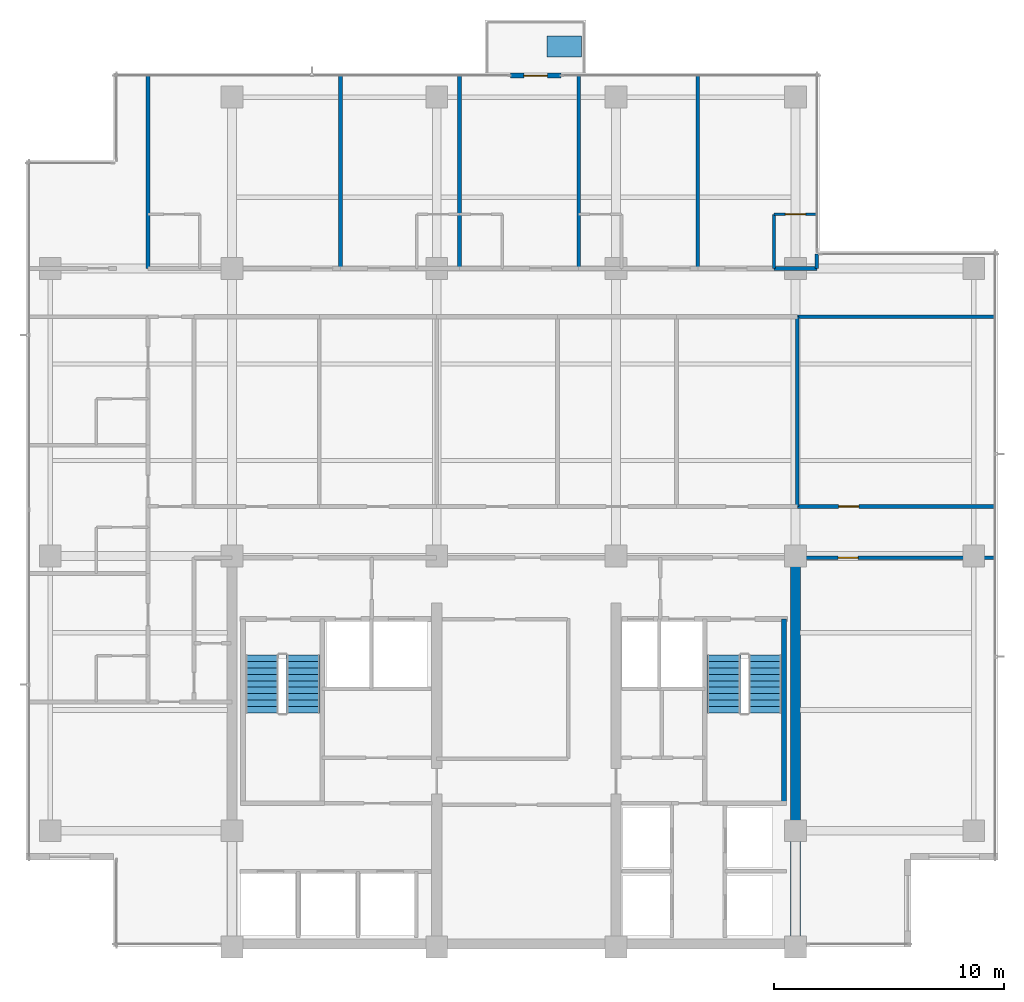
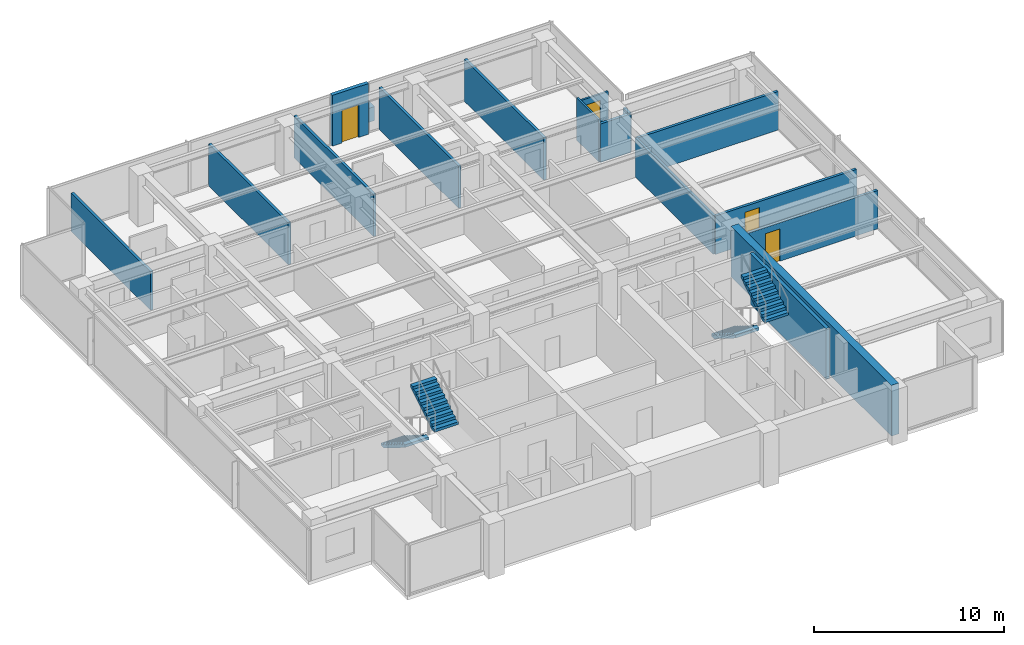
# One storey, part 10 of 15: 16 walls, 4 doors, 4 stair flights, 1 discrete accessory, 4 openings, 2 elements without a shape of their own.
"""IFC4 building model written with IfcOpenShell, lengths in metres."""

from ifc_helpers import new_model, si_unit, direction, frame, frame_2d, origin, place, context, subcontext, project, spatial, polyline, rectangle, outline, extrude, material, layer, layer_set, type_object, element, fill, aggregate, save


model = new_model("IFC4")

# Units and contexts
model_context = context("Model", 3, precision=1e-05, world=origin(), true_north=direction((0.0, 1.0)))
body_context = subcontext(model_context, "Body", "Model", "MODEL_VIEW")
ifc_project = project(units=[si_unit("LENGTHUNIT", "METRE"), si_unit("AREAUNIT", "SQUARE_METRE"), si_unit("VOLUMEUNIT", "CUBIC_METRE"), si_unit("PLANEANGLEUNIT", "RADIAN"), si_unit("MASSUNIT", "GRAM", prefix="KILO")], contexts=[model_context])

# Site, building, storey
site_placement = place(None, origin())
site = spatial("IfcSite", under=ifc_project, at=site_placement, CompositionType="ELEMENT")
building_placement = place(site_placement, origin())
building = spatial("IfcBuilding", under=site, at=building_placement, Name="Qalmaran Belvedere Hotel", CompositionType="ELEMENT")
storey_placement = place(building_placement, frame((0.0, 0.0, 203.89990234375)))
storey = spatial("IfcBuildingStorey", under=building, at=storey_placement, Name="L51", CompositionType="ELEMENT", Elevation=203.89990234375)

# Wall, opening, door
ifc_material_1 = material(Name="Anodised Bronze Cladding")
ifc_layer_1 = layer(ifc_material_1, 0.22509765625, Name="Anodised Bronze Cladding")
ifc_layer_set_1 = layer_set([ifc_layer_1], Name="Anodised Bronze Cladding")
wall_type_1 = type_object("IfcWallType", Name="WL-BAL-PORT-225", PredefinedType="SOLIDWALL", material=ifc_layer_set_1)
wall_1_placement = place(storey_placement, frame((32.39990234375, 41.3798828125, 0.0), z_axis=(0.0, 0.0, 1.0), x_axis=(1.0, 0.0, 0.0)))
wall_1 = element("IfcWall", 1, at=wall_1_placement, inside=storey, type_object=wall_type_1, Name="L51 Tree Balcony Door Portal", PredefinedType="SOLIDWALL", context=body_context, shape_type="SweptSolid", body=[
    extrude(rectangle(XDim=2.2001953125, YDim=0.22509765625, at=frame_2d((1.10009765625, 0.0))), origin(), (0.0, 0.0, 1.0), 3.260009765625),
])
opening_1_placement = place(wall_1_placement, frame((0.590087890625, 0.0, 0.0)))
opening_1 = element("IfcOpeningElement", 2, at=opening_1_placement, cuts=wall_1, Name="Opening BL-102", PredefinedType="OPENING", context=body_context, shape_type="SweptSolid", body=[
    extrude(rectangle(XDim=1.02001953125, YDim=2.10009765625, at=frame_2d((0.510009765625, 1.050048828125))), frame((0.0, 0.12255859375, 0.0), z_axis=(0.0, -1.0, 0.0), x_axis=(1.0, 0.0, 0.0)), (0.0, 0.0, 1.0), 0.2451171875),
])
ifc_material_2 = material(Name="Anodised Bronze Aluminium", Category="aluminium")
door_type_1 = type_object("IfcDoorType", Name="DR-BAL-1020X2100", OperationType="NOTDEFINED", PredefinedType="DOOR", material=ifc_material_2)
door_1_placement = place(opening_1_placement, origin())
door_1 = element("IfcDoor", 3, at=door_1_placement, inside=storey, type_object=door_type_1, Name="L51 Planted Tree Balcony Door", OperationType="SINGLE_SWING_RIGHT", OverallHeight=2.10009765625, OverallWidth=1.02001953125, PredefinedType="DOOR", context=body_context, shape_type="SweptSolid", body=[
    extrude(rectangle(XDim=1.02001953125, YDim=2.10009765625, at=frame_2d((0.510009765625, 1.050048828125))), frame((0.0, 0.02490234375, 0.0), z_axis=(0.0, -1.0, 0.0), x_axis=(1.0, 0.0, 0.0)), (0.0, 0.0, 1.0), 0.050048828125),
])
fill(opening_1, door_1)

# Wall
ifc_material_3 = material(Name="Concrete C50/60", Category="concrete")
ifc_layer_2 = layer(ifc_material_3, 0.449951171875, Name="Concrete C50/60")
ifc_layer_set_2 = layer_set([ifc_layer_2], Name="Concrete C50/60")
wall_type_2 = type_object("IfcWallType", Name="WL-CORE-450-C50", PredefinedType="SHEAR", material=ifc_layer_set_2)
wall_2_placement = place(storey_placement, frame((44.800048828125, 3.5, 0.0), z_axis=(0.0, 0.0, 1.0), x_axis=(0.0, 1.0, 0.0)))
element("IfcWall", 4, at=wall_2_placement, inside=storey, type_object=wall_type_2, Name="L51 East Core Shear Wall", PredefinedType="SHEAR", context=body_context, shape_type="SweptSolid", body=[
    extrude(rectangle(XDim=16.89990234375, YDim=0.449951171875, at=frame_2d((8.449951171875, 0.0))), origin(), (0.0, 0.0, 1.0), 3.260009765625),
])

# Wall, opening, door
ifc_material_4 = material(Name="Moisture-Resistant Gypsum")
ifc_layer_3 = layer(ifc_material_4, 0.1201171875, Name="Moisture-Resistant Gypsum")
ifc_layer_set_3 = layer_set([ifc_layer_3], Name="Moisture-Resistant Gypsum")
wall_type_3 = type_object("IfcWallType", Name="WL-INT-120-BATH", PredefinedType="PARTITIONING", material=ifc_layer_set_3)
wall_3_placement = place(storey_placement, frame((43.8701171875, 35.35009765625, 0.0), z_axis=(0.0, 0.0, 1.0), x_axis=(1.0, 0.0, 0.0)))
wall_3 = element("IfcWall", 5, at=wall_3_placement, inside=storey, type_object=wall_type_3, Name="L51 Partition WL-L51-NBN04", PredefinedType="PARTITIONING", context=body_context, shape_type="SweptSolid", body=[
    extrude(rectangle(XDim=1.85986328125, YDim=0.1201171875, at=frame_2d((0.929931640625, 0.0))), origin(), (0.0, 0.0, 1.0), 2.47216796875),
])
opening_2_placement = place(wall_3_placement, frame((1.369873046875, 0.0, 0.0), z_axis=(0.0, 0.0, 1.0), x_axis=(-1.0, 0.0, 0.0)))
opening_2 = element("IfcOpeningElement", 6, at=opening_2_placement, cuts=wall_3, Name="Opening D-BATH", PredefinedType="OPENING", context=body_context, shape_type="SweptSolid", body=[
    extrude(rectangle(XDim=0.8798828125, YDim=2.080078125, at=frame_2d((0.43994140625, 1.0400390625))), frame((0.0, 0.070068359375, 0.0), z_axis=(0.0, -1.0, 0.0), x_axis=(1.0, 0.0, 0.0)), (0.0, 0.0, 1.0), 0.14013671875),
])
ifc_material_5 = material(Name="Engineered Oak Veneer")
door_type_2 = type_object("IfcDoorType", Name="DR-INT-BATH-880X2080", OperationType="NOTDEFINED", PredefinedType="DOOR", material=ifc_material_5)
door_2_placement = place(opening_2_placement, origin())
door_2 = element("IfcDoor", 7, at=door_2_placement, inside=storey, type_object=door_type_2, Name="L51 Ensuite Bathroom Door N05", OperationType="SINGLE_SWING_RIGHT", OverallHeight=2.080078125, OverallWidth=0.8798828125, PredefinedType="DOOR", context=body_context, shape_type="SweptSolid", body=[
    extrude(rectangle(XDim=0.8798828125, YDim=2.080078125, at=frame_2d((0.43994140625, 1.0400390625))), frame((0.0, 0.02490234375, 0.0), z_axis=(0.0, -1.0, 0.0), x_axis=(1.0, 0.0, 0.0)), (0.0, 0.0, 1.0), 0.050048828125),
])
fill(opening_2, door_2)

# Wall
wall_4_placement = place(storey_placement, frame((43.8701171875, 33.0, 0.0), z_axis=(0.0, 0.0, 1.0), x_axis=(0.0, 1.0, 0.0)))
element("IfcWall", 8, at=wall_4_placement, inside=storey, type_object=wall_type_3, Name="L51 Partition WL-L51-NBS04", PredefinedType="PARTITIONING", context=body_context, shape_type="SweptSolid", body=[
    extrude(rectangle(XDim=2.35009765625, YDim=0.1201171875, at=frame_2d((1.175048828125, 0.0))), origin(), (0.0, 0.0, 1.0), 2.7060546875),
])

# Wall, opening, door
ifc_material_6 = material(Name="Gypsum Stud Partition")
ifc_layer_4 = layer(ifc_material_6, 0.159912109375, Name="Gypsum Stud Partition")
ifc_layer_set_4 = layer_set([ifc_layer_4], Name="Gypsum Stud Partition")
wall_type_4 = type_object("IfcWallType", Name="WL-INT-160-EI60", PredefinedType="PARTITIONING", material=ifc_layer_set_4)
wall_5_placement = place(storey_placement, frame((44.800048828125, 20.419921875, 0.0), z_axis=(0.0, 0.0, 1.0), x_axis=(1.0, 0.0, 0.0)))
wall_5 = element("IfcWall", 9, at=wall_5_placement, inside=storey, type_object=wall_type_4, Name="L51 Partition WL-L51-ECE1S", PredefinedType="PARTITIONING", context=body_context, shape_type="SweptSolid", body=[
    extrude(rectangle(XDim=8.679931640625, YDim=0.159912109375, at=frame_2d((4.33984375, 0.0))), origin(), (0.0, 0.0, 1.0), 2.47216796875),
])
opening_3_placement = place(wall_5_placement, frame((2.72998046875, 0.0, 0.0), z_axis=(0.0, 0.0, 1.0), x_axis=(-1.0, 0.0, 0.0)))
opening_3 = element("IfcOpeningElement", 10, at=opening_3_placement, cuts=wall_5, Name="Opening FD60B", PredefinedType="OPENING", context=body_context, shape_type="SweptSolid", body=[
    extrude(rectangle(XDim=0.8798828125, YDim=2.080078125, at=frame_2d((0.43994140625, 1.0400390625))), frame((0.0, 0.08984375, 0.0), z_axis=(0.0, -1.0, 0.0), x_axis=(1.0, 0.0, 0.0)), (0.0, 0.0, 1.0), 0.179931640625),
])
ifc_material_7 = material(Name="Steel S355JR", Category="steel")
door_type_3 = type_object("IfcDoorType", Name="DR-FD60B-880X2080", OperationType="NOTDEFINED", PredefinedType="DOOR", material=ifc_material_7)
door_3_placement = place(opening_3_placement, origin())
door_3 = element("IfcDoor", 11, at=door_3_placement, inside=storey, type_object=door_type_3, Name="L51 East Library Door", OperationType="SINGLE_SWING_LEFT", OverallHeight=2.080078125, OverallWidth=0.8798828125, PredefinedType="DOOR", context=body_context, shape_type="SweptSolid", body=[
    extrude(rectangle(XDim=0.8798828125, YDim=2.080078125, at=frame_2d((0.43994140625, 1.0400390625))), frame((0.0, 0.02490234375, 0.0), z_axis=(0.0, -1.0, 0.0), x_axis=(1.0, 0.0, 0.0)), (0.0, 0.0, 1.0), 0.050048828125),
])
fill(opening_3, door_3)

wall_6_placement = place(storey_placement, frame((44.8798828125, 22.64990234375, 0.0), z_axis=(0.0, 0.0, 1.0), x_axis=(1.0, 0.0, 0.0)))
wall_6 = element("IfcWall", 12, at=wall_6_placement, inside=storey, type_object=wall_type_4, Name="L51 Partition WL-L51-ECE2N", PredefinedType="PARTITIONING", context=body_context, shape_type="SweptSolid", body=[
    extrude(rectangle(XDim=8.60009765625, YDim=0.159912109375, at=frame_2d((4.300048828125, 0.0))), origin(), (0.0, 0.0, 1.0), 2.47216796875),
])
opening_4_placement = place(wall_6_placement, frame((1.800048828125, 0.0, 0.0)))
opening_4 = element("IfcOpeningElement", 13, at=opening_4_placement, cuts=wall_6, Name="Opening FD60B", PredefinedType="OPENING", context=body_context, shape_type="SweptSolid", body=[
    extrude(rectangle(XDim=0.8798828125, YDim=2.080078125, at=frame_2d((0.43994140625, 1.0400390625))), frame((0.0, 0.08984375, 0.0), z_axis=(0.0, -1.0, 0.0), x_axis=(1.0, 0.0, 0.0)), (0.0, 0.0, 1.0), 0.179931640625),
])
door_4_placement = place(opening_4_placement, origin())
door_4 = element("IfcDoor", 14, at=door_4_placement, inside=storey, type_object=door_type_3, Name="L51 East Fitness Door", OperationType="SINGLE_SWING_RIGHT", OverallHeight=2.080078125, OverallWidth=0.8798828125, PredefinedType="DOOR", context=body_context, shape_type="SweptSolid", body=[
    extrude(rectangle(XDim=0.8798828125, YDim=2.080078125, at=frame_2d((0.43994140625, 1.0400390625))), frame((0.0, 0.02490234375, 0.0), z_axis=(0.0, -1.0, 0.0), x_axis=(1.0, 0.0, 0.0)), (0.0, 0.0, 1.0), 0.050048828125),
])
fill(opening_4, door_4)

# Walls
wall_7_placement = place(storey_placement, frame((44.8798828125, 30.89990234375, 0.0), z_axis=(0.0, 0.0, 1.0), x_axis=(1.0, 0.0, 0.0)))
element("IfcWall", 15, at=wall_7_placement, inside=storey, type_object=wall_type_4, Name="L51 Partition WL-L51-ECEN", PredefinedType="PARTITIONING", context=body_context, shape_type="SweptSolid", body=[
    extrude(rectangle(XDim=8.60009765625, YDim=0.159912109375, at=frame_2d((4.300048828125, 0.0))), origin(), (0.0, 0.0, 1.0), 2.47216796875),
])
wall_8_placement = place(storey_placement, frame((44.8798828125, 22.64990234375, 0.0), z_axis=(0.0, 0.0, 1.0), x_axis=(0.0, 1.0, 0.0)))
element("IfcWall", 16, at=wall_8_placement, inside=storey, type_object=wall_type_4, Name="L51 Partition WL-L51-MIDVR5", PredefinedType="PARTITIONING", context=body_context, shape_type="SweptSolid", body=[
    extrude(rectangle(XDim=8.25, YDim=0.159912109375, at=frame_2d((4.125, 0.0))), origin(), (0.0, 0.0, 1.0), 2.47216796875),
])
wall_9_placement = place(storey_placement, frame((16.64990234375, 33.0, 0.0), z_axis=(0.0, 0.0, 1.0), x_axis=(0.0, 1.0, 0.0)))
element("IfcWall", 17, at=wall_9_placement, inside=storey, type_object=wall_type_4, Name="L51 Partition WL-L51-NUL", PredefinedType="PARTITIONING", context=body_context, shape_type="SweptSolid", body=[
    extrude(rectangle(XDim=8.3798828125, YDim=0.159912109375, at=frame_2d((4.18994140625, 0.0))), origin(), (0.0, 0.0, 1.0), 2.47216796875),
])
for number, where, z_axis, x_axis, name in (
    (18, (25.01708984375, 33.0, 0.0), (0.0, 0.0, 1.0), (0.0, 1.0, 0.0), "L51 Partition WL-L51-NUR00"),
    (19, (30.1953125, 33.0, 0.0), (0.0, 0.0, 1.0), (0.0, 1.0, 0.0), "L51 Partition WL-L51-NUR01"),
    (20, (35.37353515625, 33.0, 0.0), (0.0, 0.0, 1.0), (0.0, 1.0, 0.0), "L51 Partition WL-L51-NUR02"),
    (21, (40.5517578125, 33.0, 0.0), (0.0, 0.0, 1.0), (0.0, 1.0, 0.0), "L51 Partition WL-L51-NUR03"),
):
    element("IfcWall", number, at=place(storey_placement, frame(where, z_axis=z_axis, x_axis=x_axis)), inside=storey, type_object=wall_type_4, Name=name, PredefinedType="PARTITIONING", context=body_context, shape_type="SweptSolid", body=[
        extrude(rectangle(XDim=8.3798828125, YDim=0.159912109375, at=frame_2d((4.18994140625, 0.0))), origin(), (0.0, 0.0, 1.0), 2.7060546875),
    ])
wall_10_placement = place(storey_placement, frame((45.72998046875, 33.0, 0.0), z_axis=(0.0, 0.0, 1.0), x_axis=(0.0, 1.0, 0.0)))
element("IfcWall", 22, at=wall_10_placement, inside=storey, type_object=wall_type_4, Name="L51 Partition WL-L51-NUR04", PredefinedType="PARTITIONING", context=body_context, shape_type="SweptSolid", body=[
    extrude(rectangle(XDim=0.6298828125, YDim=0.159912109375, at=frame_2d((0.31494140625, 0.0))), origin(), (0.0, 0.0, 1.0), 2.47216796875),
])
ifc_layer_5 = layer(ifc_material_6, 0.179931640625, Name="Gypsum Stud Partition")
ifc_layer_set_5 = layer_set([ifc_layer_5], Name="Gypsum Stud Partition")
wall_type_5 = type_object("IfcWallType", Name="WL-INT-180-EI60", PredefinedType="PARTITIONING", material=ifc_layer_set_5)
wall_11_placement = place(storey_placement, frame((43.8701171875, 33.0, 0.0), z_axis=(0.0, 0.0, 1.0), x_axis=(1.0, 0.0, 0.0)))
element("IfcWall", 23, at=wall_11_placement, inside=storey, type_object=wall_type_5, Name="L51 Partition WL-L51-NBC04", PredefinedType="PARTITIONING", context=body_context, shape_type="SweptSolid", body=[
    extrude(rectangle(XDim=1.85986328125, YDim=0.179931640625, at=frame_2d((0.929931640625, 0.0))), origin(), (0.0, 0.0, 1.0), 2.47216796875),
])
ifc_layer_6 = layer(ifc_material_3, 0.2099609375, Name="Concrete C50/60")
ifc_layer_set_6 = layer_set([ifc_layer_6], Name="Concrete C50/60")
wall_type_6 = type_object("IfcWallType", Name="WL-STAIR-210-C50", PredefinedType="SHEAR", material=ifc_layer_set_6)
wall_12_placement = place(storey_placement, frame((44.304931640625, 9.7451171875, 0.0), z_axis=(0.0, 0.0, 1.0), x_axis=(0.0, 1.0, 0.0)))
element("IfcWall", 24, at=wall_12_placement, inside=storey, type_object=wall_type_6, Name="L51 Stair ST-2 East Bearing Wall", PredefinedType="SHEAR", context=body_context, shape_type="SweptSolid", body=[
    extrude(rectangle(XDim=8.009765625, YDim=0.2099609375, at=frame_2d((4.0048828125, 0.0))), origin(), (0.0, 0.0, 1.0), 3.260009765625),
])

# Stair, stair flights
ifc_material_8 = material(Name="Concrete C40/50", Category="concrete")
stair_type_1 = type_object("IfcStairType", Name="STR-ST-1-1450-R1750", PredefinedType="HALF_TURN_STAIR", material=ifc_material_8)
stair_1_placement = place(storey_placement, origin())
stair_1 = element("IfcStair", 25, at=stair_1_placement, inside=storey, type_object=stair_type_1, Name="L51 West Core Exit Stair ST-1", PredefinedType="HALF_TURN_STAIR")
ifc_layer_7 = layer(ifc_material_8, 0.14990234375, Name="Concrete C40/50")
ifc_layer_set_7 = layer_set([ifc_layer_7], Name="Concrete C40/50")
stair_flight_type_1 = type_object("IfcStairFlightType", Name="STF-ST-1-1450-R1750", PredefinedType="STRAIGHT", material=ifc_layer_set_7)
stair_flight_1_placement = place(storey_placement, frame((21.60498046875, 16.18994140625, 0.0), z_axis=(0.0, 0.0, 1.0), x_axis=(0.0, -1.0, 0.0)))
stair_flight_1 = element("IfcStairFlight", 26, at=stair_flight_1_placement, type_object=stair_flight_type_1, Name="ST-1 flight 1", NumberOfRisers=10, NumberOfTreads=9, PredefinedType="STRAIGHT", RiserHeight=0.175, TreadLength=0.28, context=body_context, shape_type="SweptSolid", body=[
    extrude(outline(polyline([(0.0, 0.0), (0.0, 0.175048828125), (0.280029296875, 0.175048828125), (0.280029296875, 0.35009765625), (0.56005859375, 0.35009765625), (0.56005859375, 0.52490234375), (0.840087890625, 0.52490234375), (0.840087890625, 0.699951171875), (1.1201171875, 0.699951171875), (1.1201171875, 0.875), (1.39990234375, 0.875), (1.39990234375, 1.050048828125), (1.679931640625, 1.050048828125), (1.679931640625, 1.22509765625), (1.9599609375, 1.22509765625), (1.9599609375, 1.39990234375), (2.239990234375, 1.39990234375), (2.239990234375, 1.574951171875), (2.52001953125, 1.574951171875), (2.52001953125, 1.75), (2.52001953125, 1.398193359375), (0.28271484375, 0.0), (0.0, 0.0)])), frame((0.0, 0.72509765625, 0.0), z_axis=(0.0, -1.0, 0.0), x_axis=(1.0, 0.0, 0.0)), (0.0, 0.0, 1.0), 1.449951171875),
])
stair_flight_2_placement = place(storey_placement, frame((23.39501953125, 13.669921875, 1.75), z_axis=(0.0, 0.0, 1.0), x_axis=(0.0, 1.0, 0.0)))
stair_flight_2 = element("IfcStairFlight", 27, at=stair_flight_2_placement, type_object=stair_flight_type_1, Name="ST-1 flight 2", NumberOfRisers=10, NumberOfTreads=9, PredefinedType="STRAIGHT", RiserHeight=0.175, TreadLength=0.28, context=body_context, shape_type="SweptSolid", body=[
    extrude(outline(polyline([(0.0, 0.0), (0.0, 0.175048828125), (0.280029296875, 0.175048828125), (0.280029296875, 0.35009765625), (0.56005859375, 0.35009765625), (0.56005859375, 0.52490234375), (0.840087890625, 0.52490234375), (0.840087890625, 0.699951171875), (1.1201171875, 0.699951171875), (1.1201171875, 0.875), (1.39990234375, 0.875), (1.39990234375, 1.050048828125), (1.679931640625, 1.050048828125), (1.679931640625, 1.22509765625), (1.9599609375, 1.22509765625), (1.9599609375, 1.39990234375), (2.239990234375, 1.39990234375), (2.239990234375, 1.574951171875), (2.52001953125, 1.574951171875), (2.52001953125, 1.75), (2.52001953125, 1.398193359375), (0.28271484375, 0.0), (0.0, 0.0)])), frame((0.0, 0.72509765625, 0.0), z_axis=(0.0, -1.0, 0.0), x_axis=(1.0, 0.0, 0.0)), (0.0, 0.0, 1.0), 1.449951171875),
])
aggregate(stair_1, [stair_flight_1, stair_flight_2])

stair_type_2 = type_object("IfcStairType", Name="STR-ST-2-1450-R1750", PredefinedType="HALF_TURN_STAIR", material=ifc_material_8)
stair_2_placement = place(storey_placement, origin())
stair_2 = element("IfcStair", 28, at=stair_2_placement, inside=storey, type_object=stair_type_2, Name="L51 East Core Exit Stair ST-2", PredefinedType="HALF_TURN_STAIR")
ifc_layer_8 = layer(ifc_material_8, 0.14990234375, Name="Concrete C40/50")
ifc_layer_set_8 = layer_set([ifc_layer_8], Name="Concrete C40/50")
stair_flight_type_2 = type_object("IfcStairFlightType", Name="STF-ST-2-1450-R1750", PredefinedType="STRAIGHT", material=ifc_layer_set_8)
stair_flight_3_placement = place(storey_placement, frame((41.68505859375, 16.18994140625, 0.0), z_axis=(0.0, 0.0, 1.0), x_axis=(0.0, -1.0, 0.0)))
stair_flight_3 = element("IfcStairFlight", 29, at=stair_flight_3_placement, type_object=stair_flight_type_2, Name="ST-2 flight 1", NumberOfRisers=10, NumberOfTreads=9, PredefinedType="STRAIGHT", RiserHeight=0.175, TreadLength=0.28, context=body_context, shape_type="SweptSolid", body=[
    extrude(outline(polyline([(0.0, 0.0), (0.0, 0.175048828125), (0.280029296875, 0.175048828125), (0.280029296875, 0.35009765625), (0.56005859375, 0.35009765625), (0.56005859375, 0.52490234375), (0.840087890625, 0.52490234375), (0.840087890625, 0.699951171875), (1.1201171875, 0.699951171875), (1.1201171875, 0.875), (1.39990234375, 0.875), (1.39990234375, 1.050048828125), (1.679931640625, 1.050048828125), (1.679931640625, 1.22509765625), (1.9599609375, 1.22509765625), (1.9599609375, 1.39990234375), (2.239990234375, 1.39990234375), (2.239990234375, 1.574951171875), (2.52001953125, 1.574951171875), (2.52001953125, 1.75), (2.52001953125, 1.398193359375), (0.28271484375, 0.0), (0.0, 0.0)])), frame((0.0, 0.72509765625, 0.0), z_axis=(0.0, -1.0, 0.0), x_axis=(1.0, 0.0, 0.0)), (0.0, 0.0, 1.0), 1.449951171875),
])
stair_flight_4_placement = place(storey_placement, frame((43.47509765625, 13.669921875, 1.75), z_axis=(0.0, 0.0, 1.0), x_axis=(0.0, 1.0, 0.0)))
stair_flight_4 = element("IfcStairFlight", 30, at=stair_flight_4_placement, type_object=stair_flight_type_2, Name="ST-2 flight 2", NumberOfRisers=10, NumberOfTreads=9, PredefinedType="STRAIGHT", RiserHeight=0.175, TreadLength=0.28, context=body_context, shape_type="SweptSolid", body=[
    extrude(outline(polyline([(0.0, 0.0), (0.0, 0.175048828125), (0.280029296875, 0.175048828125), (0.280029296875, 0.35009765625), (0.56005859375, 0.35009765625), (0.56005859375, 0.52490234375), (0.840087890625, 0.52490234375), (0.840087890625, 0.699951171875), (1.1201171875, 0.699951171875), (1.1201171875, 0.875), (1.39990234375, 0.875), (1.39990234375, 1.050048828125), (1.679931640625, 1.050048828125), (1.679931640625, 1.22509765625), (1.9599609375, 1.22509765625), (1.9599609375, 1.39990234375), (2.239990234375, 1.39990234375), (2.239990234375, 1.574951171875), (2.52001953125, 1.574951171875), (2.52001953125, 1.75), (2.52001953125, 1.398193359375), (0.28271484375, 0.0), (0.0, 0.0)])), frame((0.0, 0.72509765625, 0.0), z_axis=(0.0, -1.0, 0.0), x_axis=(1.0, 0.0, 0.0)), (0.0, 0.0, 1.0), 1.449951171875),
])
aggregate(stair_2, [stair_flight_3, stair_flight_4])

# Discrete accessory
discrete_accessory_type = type_object("IfcDiscreteAccessoryType", Name="PLN-BAL-1500", PredefinedType="USERDEFINED", material=ifc_material_8)
discrete_accessory_placement = place(storey_placement, origin())
element("IfcDiscreteAccessory", 31, at=discrete_accessory_placement, inside=storey, type_object=discrete_accessory_type, Name="L51 Sky Tree Planter", ObjectType="PLANTER", PredefinedType="USERDEFINED", context=body_context, shape_type="SweptSolid", body=[
    extrude(outline(polyline([(34.0, 42.199951171875), (35.5, 42.199951171875), (35.5, 43.10009765625), (34.0, 43.10009765625), (34.0, 42.199951171875)])), origin(), (0.0, 0.0, 1.0), 0.900146484375),
])

save(model, "model.ifc")
